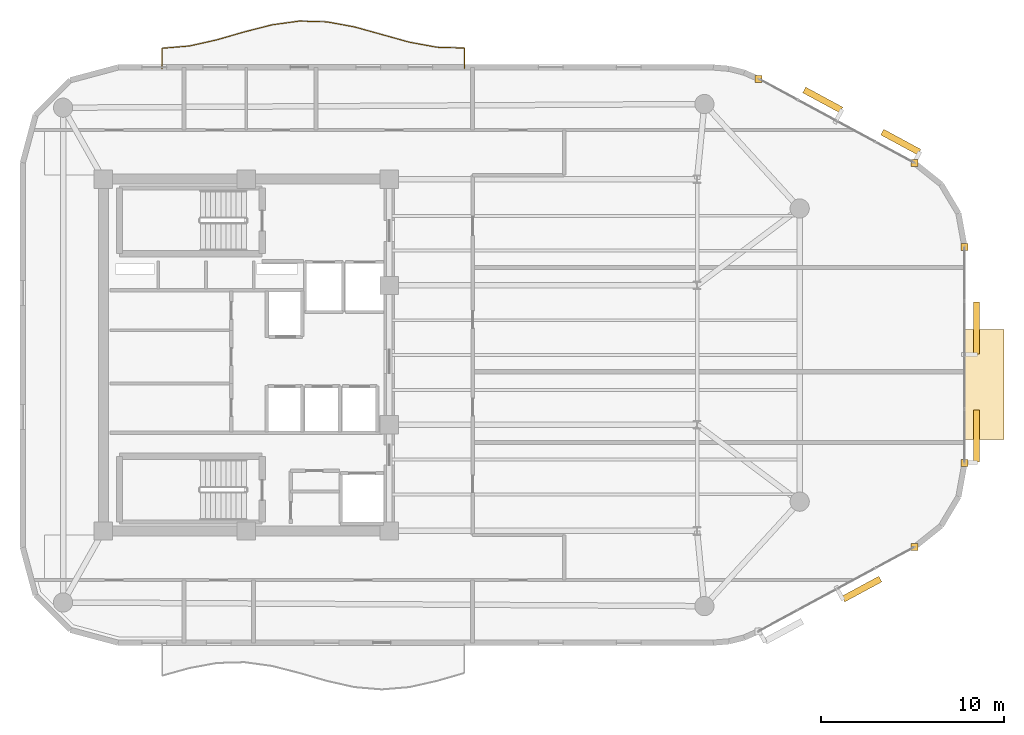
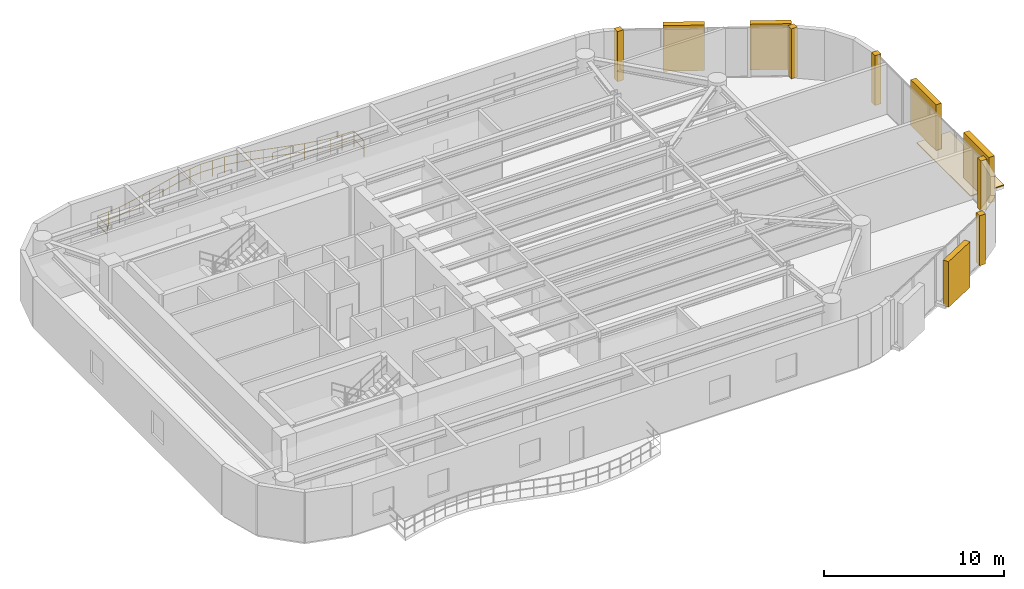
# One storey, part 13 of 13: 6 coverings, 5 shading devices, 1 railing.
"""IFC4 building model written with IfcOpenShell, lengths in metres."""

from ifc_helpers import new_model, si_unit, direction, frame, origin, origin_2d, place, context, subcontext, project, spatial, polyline, rectangle, circle, outline, extrude, material, layer, layer_set, type_object, element, save


model = new_model("IFC4")

# Units and contexts
model_context = context("Model", 3, precision=1e-05, world=origin(), true_north=direction((0.0, 1.0)))
body_context = subcontext(model_context, "Body", "Model", "MODEL_VIEW")
ifc_project = project(units=[si_unit("LENGTHUNIT", "METRE"), si_unit("AREAUNIT", "SQUARE_METRE"), si_unit("VOLUMEUNIT", "CUBIC_METRE"), si_unit("PLANEANGLEUNIT", "RADIAN"), si_unit("MASSUNIT", "GRAM", prefix="KILO")], contexts=[model_context])

# Site, building, storey
site_placement = place(None, origin())
site = spatial("IfcSite", under=ifc_project, at=site_placement, CompositionType="ELEMENT")
building_placement = place(site_placement, origin())
building = spatial("IfcBuilding", under=site, at=building_placement, Name="An Khanh Terracotta Commons", CompositionType="ELEMENT")
storey_placement = place(building_placement, frame((0.0, 0.0, 222.89990234375)))
storey = spatial("IfcBuildingStorey", under=building, at=storey_placement, Name="L58", CompositionType="ELEMENT", Elevation=222.89990234375)

# Coverings
ifc_material_1 = material(Name="Fired Terracotta Rainscreen Cladding", Category="masonry")
ifc_layer_1 = layer(ifc_material_1, 0.080078125, Name="Fired Terracotta Rainscreen Cladding")
ifc_layer_set_1 = layer_set([ifc_layer_1], Name="Fired Terracotta Rainscreen Cladding")
covering_type_1 = type_object("IfcCoveringType", Name="COV-JAMB-TERRA", PredefinedType="CLADDING", material=ifc_layer_set_1)
for number, where, z_axis, x_axis, name in (
    (1, (65.8720703125, 13.52587890625, 0.000244140625), (0.0, 0.0, 1.0), (1.0, 0.0, 0.0), "L58 CW-03 Curtain-Wall Jamb Closure JB"),
    (2, (68.60009765625, 18.10107421875, 0.000244140625), (0.0, 0.0, 1.0), (1.0, 0.0, 0.0), "L58 CW-03 Curtain-Wall Jamb Closure JA"),
    (3, (68.60009765625, 29.89892578125, 0.000244140625), (0.0, 0.0, 1.0), (1.0, 0.0, 0.0), "L58 CW-03 Curtain-Wall Jamb Closure JB"),
    (4, (65.8720703125, 34.47412109375, 0.000244140625), (0.0, 0.0, 1.0), (1.0, 0.0, 0.0), "L58 CW-03 Curtain-Wall Jamb Closure JA"),
    (5, (57.35693359375, 39.074951171875, 0.000244140625), (0.0, 0.0, 1.0), (1.0, 0.0, 0.0), "L58 CW-03 Curtain-Wall Jamb Closure JB"),
):
    element("IfcCovering", number, at=place(storey_placement, frame(where, z_axis=z_axis, x_axis=x_axis)), inside=storey, type_object=covering_type_1, Name=name, PredefinedType="CLADDING", context=body_context, shape_type="SweptSolid", body=[
        extrude(rectangle(XDim=0.3798828125, YDim=0.3798828125, at=origin_2d()), origin(), (0.0, 0.0, 1.0), 3.39990234375),
    ])
ifc_material_2 = material(Name="Planted Garden Waterproofing Membrane")
ifc_layer_2 = layer(ifc_material_2, 0.080078125, Name="Planted Garden Waterproofing Membrane")
ifc_layer_set_2 = layer_set([ifc_layer_2], Name="Planted Garden Waterproofing Membrane")
covering_type_2 = type_object("IfcCoveringType", Name="COV-ROOFING-GREEN", PredefinedType="ROOFING", material=ifc_layer_set_2)
covering_placement = place(storey_placement, origin())
element("IfcCovering", 6, at=covering_placement, inside=storey, type_object=covering_type_2, Name="L58 Shifted Box Roof Waterproofing (L57)", PredefinedType="ROOFING", context=body_context, shape_type="SweptSolid", body=[
    extrude(outline(polyline([(68.60009765625, 19.39990234375), (70.75, 19.39990234375), (70.75, 25.39990234375), (68.60009765625, 25.39990234375), (68.60009765625, 19.39990234375)])), origin(), (0.0, 0.0, 1.0), 0.06005859375),
])

# Railing
ifc_material_3 = material(Name="Brushed Stainless Steel 316", Category="steel")
railing_type = type_object("IfcRailingType", Name="RAIL-BALUSTRADE-1100", PredefinedType="BALUSTRADE", material=ifc_material_3)
railing_placement = place(storey_placement, frame((41.300048828125, 39.639892578125, 0.0)))
element("IfcRailing", 7, at=railing_placement, inside=storey, type_object=railing_type, Name="L58 N Wave Balcony Guard Balustrade", PredefinedType="BALUSTRADE", context=body_context, shape_type="SweptSolid", body=[
    extrude(circle(Radius=0.02392578125, at=origin_2d()), frame((0.0, 0.0, 1.076171875), z_axis=(0.0, 1.0, 0.0), x_axis=(-1.0, 0.0, 0.0)), (0.0, 0.0, 1.0), 1.114013671875),
    extrude(circle(Radius=0.02392578125, at=origin_2d()), frame((0.0, 0.0, 0.52587890625), z_axis=(0.0, 1.0, 0.0), x_axis=(-1.0, 0.0, 0.0)), (0.0, 0.0, 1.0), 1.114013671875),
    extrude(circle(Radius=0.02392578125, at=origin_2d()), frame((0.0, 1.114013671875, 1.076171875), z_axis=(-0.999585290582, 0.028796646555, 0.0), x_axis=(-0.028796646555, -0.999585290582, 0.0)), (0.0, 0.0, 1.0), 1.500732421875),
    extrude(circle(Radius=0.02392578125, at=origin_2d()), frame((0.0, 1.114013671875, 0.52587890625), z_axis=(-0.999585290582, 0.028796646555, 0.0), x_axis=(-0.028796646555, -0.999585290582, 0.0)), (0.0, 0.0, 1.0), 1.500732421875),
    extrude(circle(Radius=0.02392578125, at=origin_2d()), frame((-1.5, 1.1572265625, 1.076171875), z_axis=(-0.983504185039, 0.180885372574, 0.0), x_axis=(-0.180885372574, -0.983504185039, 0.0)), (0.0, 0.0, 1.0), 1.525146484375),
    extrude(circle(Radius=0.02392578125, at=origin_2d()), frame((-1.5, 1.1572265625, 0.52587890625), z_axis=(-0.983504185039, 0.180885372574, 0.0), x_axis=(-0.180885372574, -0.983504185039, 0.0)), (0.0, 0.0, 1.0), 1.525146484375),
    extrude(circle(Radius=0.02392578125, at=origin_2d()), frame((-3.0, 1.43310546875, 1.076171875), z_axis=(-0.963463971294, 0.267837965978, 0.0), x_axis=(-0.267837965978, -0.963463971294, 0.0)), (0.0, 0.0, 1.0), 1.556884765625),
    extrude(circle(Radius=0.02392578125, at=origin_2d()), frame((-3.0, 1.43310546875, 0.52587890625), z_axis=(-0.963463971294, 0.267837965978, 0.0), x_axis=(-0.267837965978, -0.963463971294, 0.0)), (0.0, 0.0, 1.0), 1.556884765625),
    extrude(circle(Radius=0.02392578125, at=origin_2d()), frame((-4.5, 1.85009765625, 1.076171875), z_axis=(-0.963463971294, 0.267837965978, 0.0), x_axis=(-0.267837965978, -0.963463971294, 0.0)), (0.0, 0.0, 1.0), 1.556884765625),
    extrude(circle(Radius=0.02392578125, at=origin_2d()), frame((-4.5, 1.85009765625, 0.52587890625), z_axis=(-0.963463971294, 0.267837965978, 0.0), x_axis=(-0.267837965978, -0.963463971294, 0.0)), (0.0, 0.0, 1.0), 1.556884765625),
    extrude(circle(Radius=0.02392578125, at=origin_2d()), frame((-6.0, 2.26708984375, 1.076171875), z_axis=(-0.983475695992, 0.181040203803, 0.0), x_axis=(-0.181040203803, -0.983475695992, 0.0)), (0.0, 0.0, 1.0), 1.525146484375),
    extrude(circle(Radius=0.02392578125, at=origin_2d()), frame((-6.0, 2.26708984375, 0.52587890625), z_axis=(-0.983475695992, 0.181040203803, 0.0), x_axis=(-0.181040203803, -0.983475695992, 0.0)), (0.0, 0.0, 1.0), 1.525146484375),
    extrude(circle(Radius=0.02392578125, at=origin_2d()), frame((-7.5, 2.543212890625, 1.076171875), z_axis=(-0.999589960453, 0.028634087409, 0.0), x_axis=(-0.028634087409, -0.999589960453, 0.0)), (0.0, 0.0, 1.0), 1.500732421875),
    extrude(circle(Radius=0.02392578125, at=origin_2d()), frame((-7.5, 2.543212890625, 0.52587890625), z_axis=(-0.999589960453, 0.028634087409, 0.0), x_axis=(-0.028634087409, -0.999589960453, 0.0)), (0.0, 0.0, 1.0), 1.500732421875),
    extrude(circle(Radius=0.02392578125, at=origin_2d()), frame((-9.0, 2.586181640625, 1.076171875), z_axis=(-0.990696239711, -0.136091736054, 0.0), x_axis=(0.136091736054, -0.990696239711, 0.0)), (0.0, 0.0, 1.0), 1.51416015625),
    extrude(circle(Radius=0.02392578125, at=origin_2d()), frame((-9.0, 2.586181640625, 0.52587890625), z_axis=(-0.990696239711, -0.136091736054, 0.0), x_axis=(0.136091736054, -0.990696239711, 0.0)), (0.0, 0.0, 1.0), 1.51416015625),
    extrude(circle(Radius=0.02392578125, at=origin_2d()), frame((-10.5, 2.380126953125, 1.076171875), z_axis=(-0.968754262999, -0.248022535107, 0.0), x_axis=(0.248022535107, -0.968754262999, 0.0)), (0.0, 0.0, 1.0), 1.54833984375),
    extrude(circle(Radius=0.02392578125, at=origin_2d()), frame((-10.5, 2.380126953125, 0.52587890625), z_axis=(-0.968754262999, -0.248022535107, 0.0), x_axis=(0.248022535107, -0.968754262999, 0.0)), (0.0, 0.0, 1.0), 1.54833984375),
    extrude(circle(Radius=0.02392578125, at=origin_2d()), frame((-12.0, 1.99609375, 1.076171875), z_axis=(-0.960753088359, -0.277404944458, 0.0), x_axis=(0.277404944458, -0.960753088359, 0.0)), (0.0, 0.0, 1.0), 1.561279296875),
    extrude(circle(Radius=0.02392578125, at=origin_2d()), frame((-12.0, 1.99609375, 0.52587890625), z_axis=(-0.960753088359, -0.277404944458, 0.0), x_axis=(0.277404944458, -0.960753088359, 0.0)), (0.0, 0.0, 1.0), 1.561279296875),
    extrude(circle(Radius=0.02392578125, at=origin_2d()), frame((-13.5, 1.56298828125, 1.076171875), z_axis=(-0.975691310659, -0.21914941548, 0.0), x_axis=(0.21914941548, -0.975691310659, 0.0)), (0.0, 0.0, 1.0), 1.537353515625),
    extrude(circle(Radius=0.02392578125, at=origin_2d()), frame((-13.5, 1.56298828125, 0.52587890625), z_axis=(-0.975691310659, -0.21914941548, 0.0), x_axis=(0.21914941548, -0.975691310659, 0.0)), (0.0, 0.0, 1.0), 1.537353515625),
    extrude(circle(Radius=0.02392578125, at=origin_2d()), frame((-15.0, 1.22607421875, 1.076171875), z_axis=(-0.996491859681, -0.083689746028, 0.0), x_axis=(0.083689746028, -0.996491859681, 0.0)), (0.0, 0.0, 1.0), 1.50537109375),
    extrude(circle(Radius=0.02392578125, at=origin_2d()), frame((-15.0, 1.22607421875, 0.52587890625), z_axis=(-0.996491859681, -0.083689746028, 0.0), x_axis=(0.083689746028, -0.996491859681, 0.0)), (0.0, 0.0, 1.0), 1.50537109375),
    extrude(circle(Radius=0.02392578125, at=origin_2d()), frame((-16.5, 1.10009765625, 1.076171875), z_axis=(0.0, -1.0, 0.0), x_axis=(1.0, 0.0, 0.0)), (0.0, 0.0, 1.0), 1.10009765625),
    extrude(circle(Radius=0.02392578125, at=origin_2d()), frame((-16.5, 1.10009765625, 0.52587890625), z_axis=(0.0, -1.0, 0.0), x_axis=(1.0, 0.0, 0.0)), (0.0, 0.0, 1.0), 1.10009765625),
    extrude(circle(Radius=0.02099609375, at=origin_2d()), origin(), (0.0, 0.0, 1.0), 1.052001953125),
    extrude(circle(Radius=0.02099609375, at=origin_2d()), frame((0.0, 1.114013671875, 0.0)), (0.0, 0.0, 1.0), 1.052001953125),
    extrude(circle(Radius=0.02099609375, at=origin_2d()), frame((-0.75, 1.1357421875, 0.0)), (0.0, 0.0, 1.0), 1.052001953125),
    extrude(circle(Radius=0.02099609375, at=origin_2d()), frame((-1.5, 1.1572265625, 0.0)), (0.0, 0.0, 1.0), 1.052001953125),
    extrude(circle(Radius=0.02099609375, at=origin_2d()), frame((-2.25, 1.295166015625, 0.0)), (0.0, 0.0, 1.0), 1.052001953125),
    extrude(circle(Radius=0.02099609375, at=origin_2d()), frame((-3.0, 1.43310546875, 0.0)), (0.0, 0.0, 1.0), 1.052001953125),
    extrude(circle(Radius=0.02099609375, at=origin_2d()), frame((-3.75, 1.6416015625, 0.0)), (0.0, 0.0, 1.0), 1.052001953125),
    extrude(circle(Radius=0.02099609375, at=origin_2d()), frame((-4.5, 1.85009765625, 0.0)), (0.0, 0.0, 1.0), 1.052001953125),
    extrude(circle(Radius=0.02099609375, at=origin_2d()), frame((-5.25, 2.05859375, 0.0)), (0.0, 0.0, 1.0), 1.052001953125),
    extrude(circle(Radius=0.02099609375, at=origin_2d()), frame((-6.0, 2.26708984375, 0.0)), (0.0, 0.0, 1.0), 1.052001953125),
    extrude(circle(Radius=0.02099609375, at=origin_2d()), frame((-6.75, 2.4052734375, 0.0)), (0.0, 0.0, 1.0), 1.052001953125),
    extrude(circle(Radius=0.02099609375, at=origin_2d()), frame((-7.5, 2.543212890625, 0.0)), (0.0, 0.0, 1.0), 1.052001953125),
    extrude(circle(Radius=0.02099609375, at=origin_2d()), frame((-8.25, 2.564697265625, 0.0)), (0.0, 0.0, 1.0), 1.052001953125),
    extrude(circle(Radius=0.02099609375, at=origin_2d()), frame((-9.0, 2.586181640625, 0.0)), (0.0, 0.0, 1.0), 1.052001953125),
    extrude(circle(Radius=0.02099609375, at=origin_2d()), frame((-9.75, 2.483154296875, 0.0)), (0.0, 0.0, 1.0), 1.052001953125),
    extrude(circle(Radius=0.02099609375, at=origin_2d()), frame((-10.5, 2.380126953125, 0.0)), (0.0, 0.0, 1.0), 1.052001953125),
    extrude(circle(Radius=0.02099609375, at=origin_2d()), frame((-11.25, 2.18798828125, 0.0)), (0.0, 0.0, 1.0), 1.052001953125),
    extrude(circle(Radius=0.02099609375, at=origin_2d()), frame((-12.0, 1.99609375, 0.0)), (0.0, 0.0, 1.0), 1.052001953125),
    extrude(circle(Radius=0.02099609375, at=origin_2d()), frame((-12.75, 1.779541015625, 0.0)), (0.0, 0.0, 1.0), 1.052001953125),
    extrude(circle(Radius=0.02099609375, at=origin_2d()), frame((-13.5, 1.56298828125, 0.0)), (0.0, 0.0, 1.0), 1.052001953125),
    extrude(circle(Radius=0.02099609375, at=origin_2d()), frame((-14.25, 1.39453125, 0.0)), (0.0, 0.0, 1.0), 1.052001953125),
    extrude(circle(Radius=0.02099609375, at=origin_2d()), frame((-15.0, 1.22607421875, 0.0)), (0.0, 0.0, 1.0), 1.052001953125),
    extrude(circle(Radius=0.02099609375, at=origin_2d()), frame((-15.75, 1.1630859375, 0.0)), (0.0, 0.0, 1.0), 1.052001953125),
    extrude(circle(Radius=0.02099609375, at=origin_2d()), frame((-16.5, 1.10009765625, 0.0)), (0.0, 0.0, 1.0), 1.052001953125),
    extrude(circle(Radius=0.02099609375, at=origin_2d()), frame((-16.5, 0.0, 0.0)), (0.0, 0.0, 1.0), 1.052001953125),
])

# Shading devices
ifc_material_4 = material(Name="Extruded Fired Terracotta", Category="masonry")
shading_device_type = type_object("IfcShadingDeviceType", Name="Terracotta Baguette Screen Assembly", PredefinedType="USERDEFINED", material=ifc_material_4)
shading_device_placement = place(storey_placement, frame((62.988037109375, 11.22900390625, 0.150146484375), z_axis=(0.0, 0.0, 1.0), x_axis=(0.879780095306, 0.47538088298, 0.0)))
element("IfcShadingDevice", 8, at=shading_device_placement, inside=storey, type_object=shading_device_type, Name="L58 Terracotta Baguette Screen 3", ObjectType="BAGUETTE", PredefinedType="USERDEFINED", context=body_context, shape_type="SweptSolid", body=[
    extrude(rectangle(XDim=2.300048828125, YDim=0.35009765625, at=origin_2d()), origin(), (0.0, 0.0, 1.0), 3.10009765625),
])
for number, where, z_axis, x_axis, name in (
    (9, (69.25, 19.575927734375, 0.150146484375), (0.0, 0.0, 1.0), (0.0, 1.0, 0.0), "L58 Terracotta Baguette Screen 1"),
    (10, (69.25, 25.47509765625, 0.150146484375), (0.0, 0.0, 1.0), (0.0, 1.0, 0.0), "L58 Terracotta Baguette Screen 3"),
):
    element("IfcShadingDevice", number, at=place(storey_placement, frame(where, z_axis=z_axis, x_axis=x_axis)), inside=storey, type_object=shading_device_type, Name=name, ObjectType="BAGUETTE", PredefinedType="USERDEFINED", context=body_context, shape_type="SweptSolid", body=[
        extrude(rectangle(XDim=2.830078125, YDim=0.35009765625, at=origin_2d()), origin(), (0.0, 0.0, 1.0), 3.10009765625),
    ])
for number, where, z_axis, x_axis, name in (
    (11, (65.116943359375, 35.62109375, 0.150146484375), (0.0, 0.0, 1.0), (-0.879780095306, 0.47538088298, 0.0), "L58 Terracotta Baguette Screen 1"),
    (12, (60.85888671875, 37.9208984375, 0.150146484375), (0.0, 0.0, 1.0), (-0.879780095306, 0.47538088298, 0.0), "L58 Terracotta Baguette Screen 3"),
):
    element("IfcShadingDevice", number, at=place(storey_placement, frame(where, z_axis=z_axis, x_axis=x_axis)), inside=storey, type_object=shading_device_type, Name=name, ObjectType="BAGUETTE", PredefinedType="USERDEFINED", context=body_context, shape_type="SweptSolid", body=[
        extrude(rectangle(XDim=2.300048828125, YDim=0.35009765625, at=origin_2d()), origin(), (0.0, 0.0, 1.0), 3.10009765625),
    ])

save(model, "model.ifc")
